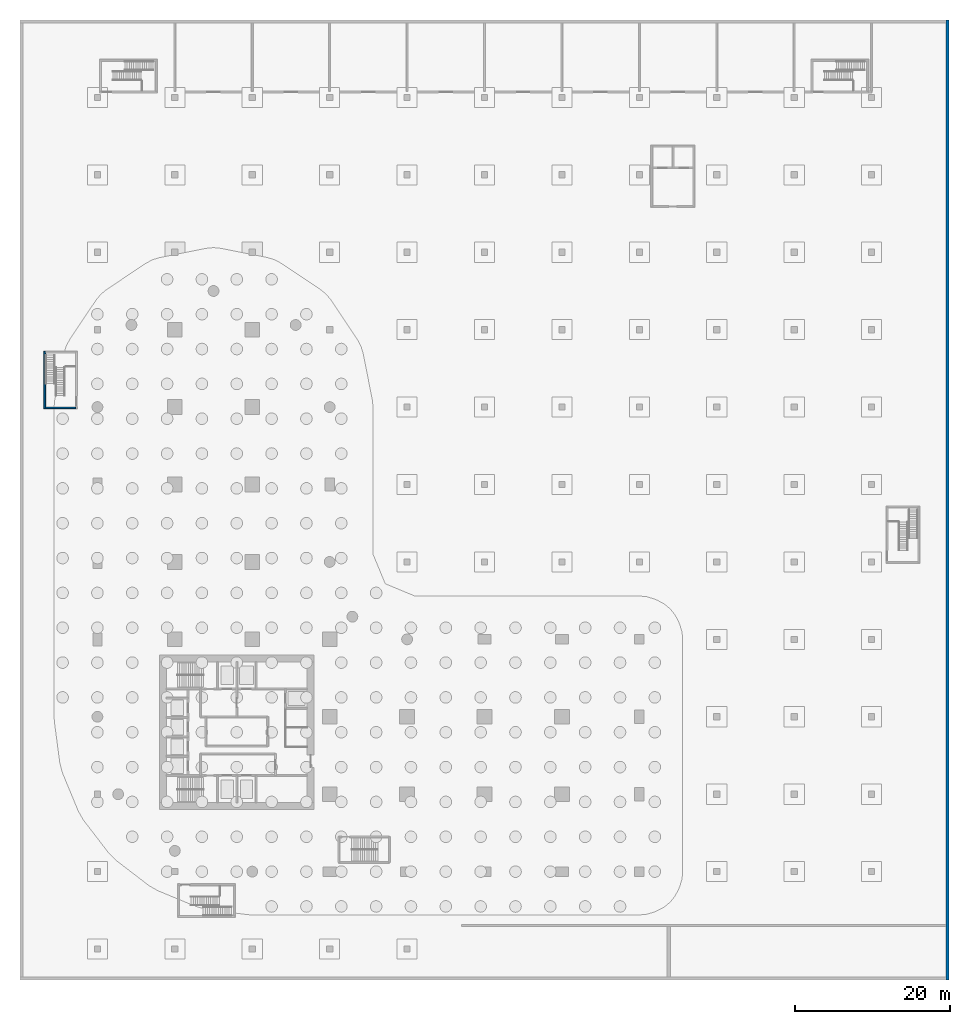
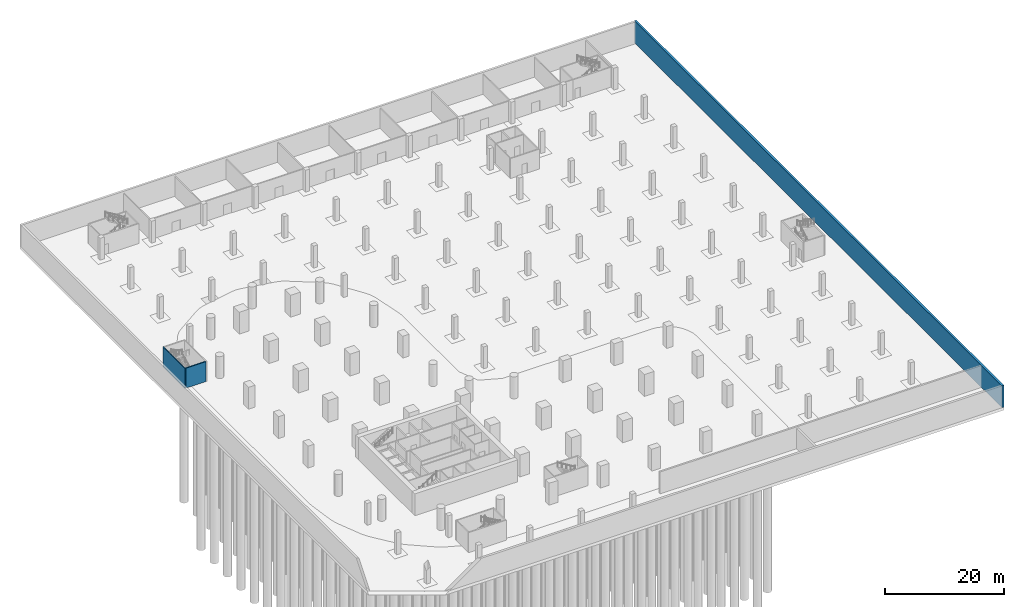
# One storey, part 11 of 19: 3 walls.
"""IFC4 building model written with IfcOpenShell, lengths in metres."""

from ifc_helpers import new_model, si_unit, direction, frame, frame_2d, origin, place, context, subcontext, project, spatial, rectangle, extrude, material, layer, layer_set, type_object, element, save


model = new_model("IFC4")

# Units and contexts
model_context = context("Model", 3, precision=1e-05, world=origin(), true_north=direction((0.0, 1.0)))
body_context = subcontext(model_context, "Body", "Model", "MODEL_VIEW")
ifc_project = project(units=[si_unit("LENGTHUNIT", "METRE"), si_unit("AREAUNIT", "SQUARE_METRE"), si_unit("VOLUMEUNIT", "CUBIC_METRE"), si_unit("PLANEANGLEUNIT", "RADIAN"), si_unit("MASSUNIT", "GRAM", prefix="KILO")], contexts=[model_context])

# Site, building, storey
site_placement = place(None, origin())
site = spatial("IfcSite", under=ifc_project, at=site_placement, CompositionType="ELEMENT")
building_placement = place(site_placement, origin())
building = spatial("IfcBuilding", under=site, at=building_placement, Name="Qaws Garden Tower", CompositionType="ELEMENT")
storey_placement = place(building_placement, frame((0.0, 0.0, -9.0)))
storey = spatial("IfcBuildingStorey", under=building, at=storey_placement, Name="B2", CompositionType="ELEMENT", Elevation=-9.0)

# Walls
ifc_material_1 = material(Name="Concrete C45", Category="concrete")
ifc_layer_1 = layer(ifc_material_1, 0.39990234375)
ifc_layer_set_1 = layer_set([ifc_layer_1], Name="Concrete C45")
wall_type_1 = type_object("IfcWallType", Name="Retaining wall 400", PredefinedType="SOLIDWALL", material=ifc_layer_set_1)
wall_1_placement = place(storey_placement, frame((109.800048828125, -14.0, 0.0), z_axis=(0.0, 0.0, 1.0), x_axis=(0.0, 1.0, 0.0)))
element("IfcWall", 1, at=wall_1_placement, inside=storey, type_object=wall_type_1, Name="Retaining wall E B2", PredefinedType="SOLIDWALL", context=body_context, shape_type="SweptSolid", body=[
    extrude(rectangle(XDim=124.0, YDim=0.39990234375, at=frame_2d((62.0, 0.0))), origin(), (0.0, 0.0, 1.0), 4.5),
])
ifc_material_2 = material(Name="Concrete C40", Category="concrete")
ifc_layer_2 = layer(ifc_material_2, 0.199951171875)
ifc_layer_set_2 = layer_set([ifc_layer_2], Name="Concrete C40")
wall_type_2 = type_object("IfcWallType", Name="Stair enclosure wall 200", PredefinedType="SOLIDWALL", material=ifc_layer_set_2)
wall_2_placement = place(storey_placement, frame((-6.800048828125, 59.800048828125, 0.0), z_axis=(0.0, 0.0, 1.0), x_axis=(0.0, 1.0, 0.0)))
element("IfcWall", 2, at=wall_2_placement, inside=storey, type_object=wall_type_2, Name="Stair W1 enclosure wall", PredefinedType="SOLIDWALL", context=body_context, shape_type="SweptSolid", body=[
    extrude(rectangle(XDim=7.39990234375, YDim=0.199951171875, at=frame_2d((3.699951171875, 0.0))), origin(), (0.0, 0.0, 1.0), 4.10009765625),
])
wall_3_placement = place(storey_placement, frame((-2.800048828125, 59.89990234375, 0.0), z_axis=(0.0, 0.0, 1.0), x_axis=(-1.0, 0.0, 0.0)))
element("IfcWall", 3, at=wall_3_placement, inside=storey, type_object=wall_type_2, Name="Stair W1 enclosure wall", PredefinedType="SOLIDWALL", context=body_context, shape_type="SweptSolid", body=[
    extrude(rectangle(XDim=3.89990234375, YDim=0.199951171875, at=frame_2d((1.949951171875, 0.0))), origin(), (0.0, 0.0, 1.0), 4.10009765625),
])

save(model, "model.ifc")
